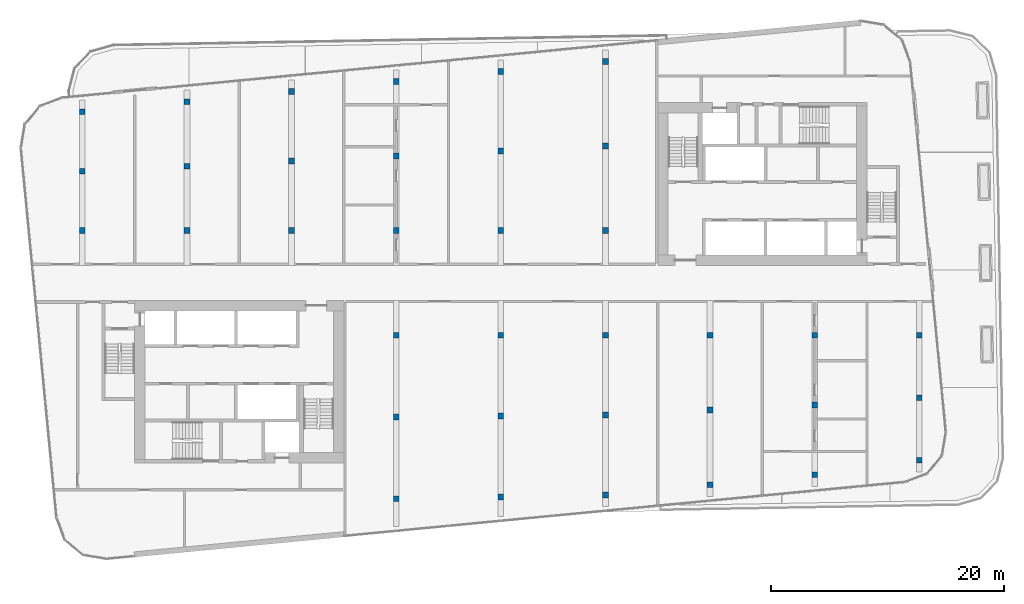
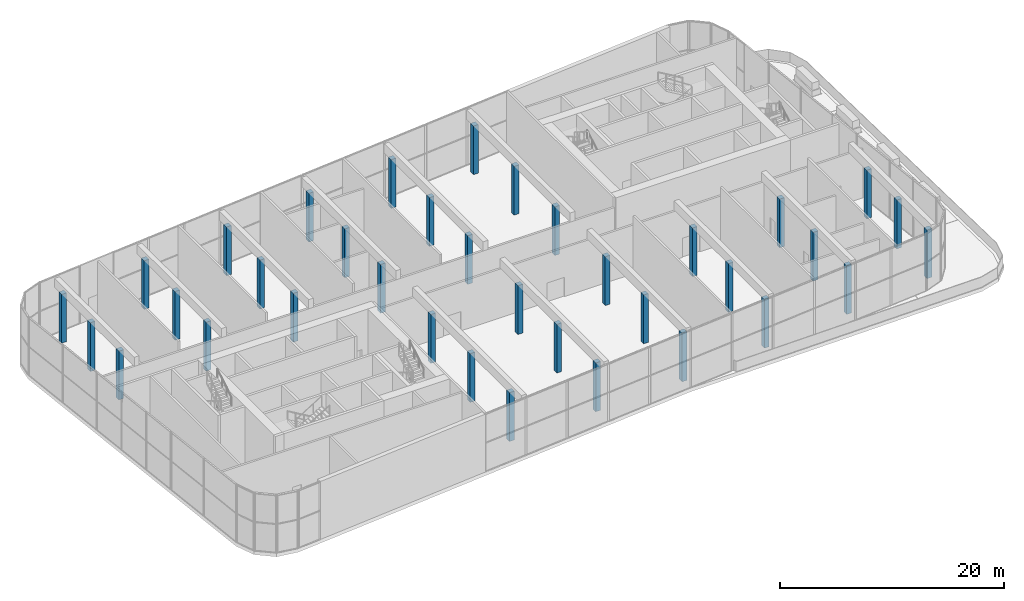
# One storey, part 1 of 24: 36 columns.
"""IFC4 building model written with IfcOpenShell, lengths in metres."""

from ifc_helpers import new_model, si_unit, direction, frame, origin, origin_2d, place, context, subcontext, project, spatial, rectangle, extrude, material, material_profile, profile_set, type_object, element, save


model = new_model("IFC4")

# Units and contexts
model_context = context("Model", 3, precision=1e-05, world=origin(), true_north=direction((0.0, 1.0)))
body_context = subcontext(model_context, "Body", "Model", "MODEL_VIEW")
ifc_project = project(units=[si_unit("LENGTHUNIT", "METRE"), si_unit("AREAUNIT", "SQUARE_METRE"), si_unit("VOLUMEUNIT", "CUBIC_METRE"), si_unit("PLANEANGLEUNIT", "RADIAN"), si_unit("MASSUNIT", "GRAM", prefix="KILO")], contexts=[model_context])

# Site, building, storey
site_placement = place(None, origin())
site = spatial("IfcSite", under=ifc_project, at=site_placement, CompositionType="ELEMENT")
building_placement = place(site_placement, origin())
building = spatial("IfcBuilding", under=site, at=building_placement, Name="Kajstack Hotel Tower", CompositionType="ELEMENT")
storey_placement = place(building_placement, frame((0.0, 0.0, 261.89990234375)))
storey = spatial("IfcBuildingStorey", under=building, at=storey_placement, Name="L65", CompositionType="ELEMENT", Elevation=261.89990234375)

# Columns
ifc_material = material(Name="Concrete C40/50", Category="concrete")
ifc_material_profile = material_profile(ifc_material, rectangle(XDim=0.5, YDim=0.5, at=origin_2d()), Name="RC 500x500")
ifc_profile_set = profile_set([ifc_material_profile], Name="Concrete C40/50")
column_type = type_object("IfcColumnType", Name="GC5 RC 500x500 C40/50", PredefinedType="COLUMN", material=ifc_profile_set)
for number, where, z_axis, x_axis, name in (
    (1, (-36.0, 4.5, 0.0), (0.0, 0.0, 1.0), (1.0, 0.0, 0.0), "S-col-g-L65--36p0+4p5"),
    (2, (-36.0, 9.609130859375, 0.0), (0.0, 0.0, 1.0), (1.0, 0.0, 0.0), "S-col-g-L65--36p0+9p6"),
    (3, (-36.0, 14.718505859375, 0.0), (0.0, 0.0, 1.0), (1.0, 0.0, 0.0), "S-col-g-L65--36p0+14p7"),
    (4, (-27.0, 4.5, 0.0), (0.0, 0.0, 1.0), (1.0, 0.0, 0.0), "S-col-g-L65--27p0+4p5"),
    (5, (-27.0, 10.04248046875, 0.0), (0.0, 0.0, 1.0), (1.0, 0.0, 0.0), "S-col-g-L65--27p0+10p0"),
    (6, (-27.0, 15.5849609375, 0.0), (0.0, 0.0, 1.0), (1.0, 0.0, 0.0), "S-col-g-L65--27p0+15p6"),
    (7, (-18.0, 4.5, 0.0), (0.0, 0.0, 1.0), (1.0, 0.0, 0.0), "S-col-g-L65--18p0+4p5"),
    (8, (-18.0, 10.475830078125, 0.0), (0.0, 0.0, 1.0), (1.0, 0.0, 0.0), "S-col-g-L65--18p0+10p5"),
    (9, (-18.0, 16.45166015625, 0.0), (0.0, 0.0, 1.0), (1.0, 0.0, 0.0), "S-col-g-L65--18p0+16p5"),
    (10, (-9.0, -18.5625, 0.0), (0.0, 0.0, 1.0), (1.0, 0.0, 0.0), "S-col-g-L65--9p0-18p6"),
    (11, (-9.0, -11.53125, 0.0), (0.0, 0.0, 1.0), (1.0, 0.0, 0.0), "S-col-g-L65--9p0-11p5"),
    (12, (-9.0, -4.5, 0.0), (0.0, 0.0, 1.0), (1.0, 0.0, 0.0), "S-col-g-L65--9p0-4p5"),
    (13, (-9.0, 4.5, 0.0), (0.0, 0.0, 1.0), (1.0, 0.0, 0.0), "S-col-g-L65--9p0+4p5"),
    (14, (-9.0, 10.9091796875, 0.0), (0.0, 0.0, 1.0), (1.0, 0.0, 0.0), "S-col-g-L65--9p0+10p9"),
    (15, (-9.0, 17.318115234375, 0.0), (0.0, 0.0, 1.0), (1.0, 0.0, 0.0), "S-col-g-L65--9p0+17p3"),
    (16, (0.0, -18.405517578125, 0.0), (0.0, 0.0, 1.0), (1.0, 0.0, 0.0), "S-col-g-L65-+0p0-18p4"),
    (17, (0.0, -11.45263671875, 0.0), (0.0, 0.0, 1.0), (1.0, 0.0, 0.0), "S-col-g-L65-+0p0-11p5"),
    (18, (0.0, -4.5, 0.0), (0.0, 0.0, 1.0), (1.0, 0.0, 0.0), "S-col-g-L65-+0p0-4p5"),
    (19, (0.0, 4.5, 0.0), (0.0, 0.0, 1.0), (1.0, 0.0, 0.0), "S-col-g-L65-+0p0+4p5"),
    (20, (0.0, 11.34228515625, 0.0), (0.0, 0.0, 1.0), (1.0, 0.0, 0.0), "S-col-g-L65-+0p0+11p3"),
    (21, (0.0, 18.184814453125, 0.0), (0.0, 0.0, 1.0), (1.0, 0.0, 0.0), "S-col-g-L65-+0p0+18p2"),
    (22, (9.0, -18.2294921875, 0.0), (0.0, 0.0, 1.0), (1.0, 0.0, 0.0), "S-col-g-L65-+9p0-18p2"),
    (23, (9.0, -11.36474609375, 0.0), (0.0, 0.0, 1.0), (1.0, 0.0, 0.0), "S-col-g-L65-+9p0-11p4"),
    (24, (9.0, -4.5, 0.0), (0.0, 0.0, 1.0), (1.0, 0.0, 0.0), "S-col-g-L65-+9p0-4p5"),
    (25, (9.0, 4.5, 0.0), (0.0, 0.0, 1.0), (1.0, 0.0, 0.0), "S-col-g-L65-+9p0+4p5"),
    (26, (9.0, 11.775634765625, 0.0), (0.0, 0.0, 1.0), (1.0, 0.0, 0.0), "S-col-g-L65-+9p0+11p8"),
    (27, (9.0, 19.051513671875, 0.0), (0.0, 0.0, 1.0), (1.0, 0.0, 0.0), "S-col-g-L65-+9p0+19p1"),
    (28, (18.0, -17.36279296875, 0.0), (0.0, 0.0, 1.0), (1.0, 0.0, 0.0), "S-col-g-L65-+18p0-17p4"),
    (29, (18.0, -10.931396484375, 0.0), (0.0, 0.0, 1.0), (1.0, 0.0, 0.0), "S-col-g-L65-+18p0-10p9"),
    (30, (18.0, -4.5, 0.0), (0.0, 0.0, 1.0), (1.0, 0.0, 0.0), "S-col-g-L65-+18p0-4p5"),
    (31, (27.0, -16.49609375, 0.0), (0.0, 0.0, 1.0), (1.0, 0.0, 0.0), "S-col-g-L65-+27p0-16p5"),
    (32, (27.0, -10.498046875, 0.0), (0.0, 0.0, 1.0), (1.0, 0.0, 0.0), "S-col-g-L65-+27p0-10p5"),
    (33, (27.0, -4.5, 0.0), (0.0, 0.0, 1.0), (1.0, 0.0, 0.0), "S-col-g-L65-+27p0-4p5"),
    (34, (36.0, -15.256591796875, 0.0), (0.0, 0.0, 1.0), (1.0, 0.0, 0.0), "S-col-g-L65-+36p0-15p3"),
    (35, (36.0, -9.878173828125, 0.0), (0.0, 0.0, 1.0), (1.0, 0.0, 0.0), "S-col-g-L65-+36p0-9p9"),
    (36, (36.0, -4.5, 0.0), (0.0, 0.0, 1.0), (1.0, 0.0, 0.0), "S-col-g-L65-+36p0-4p5"),
):
    element("IfcColumn", number, at=place(storey_placement, frame(where, z_axis=z_axis, x_axis=x_axis)), inside=storey, type_object=column_type, Name=name, PredefinedType="COLUMN", context=body_context, shape_type="SweptSolid", body=[
        extrude(rectangle(XDim=0.5, YDim=0.5, at=origin_2d()), origin(), (0.0, 0.0, 1.0), 5.320068359375),
    ])

save(model, "model.ifc")
